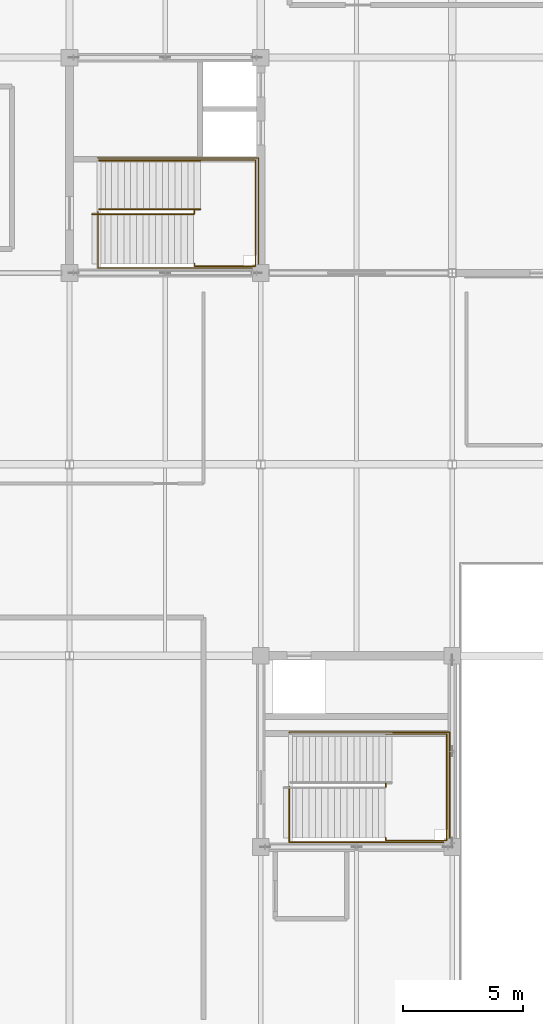
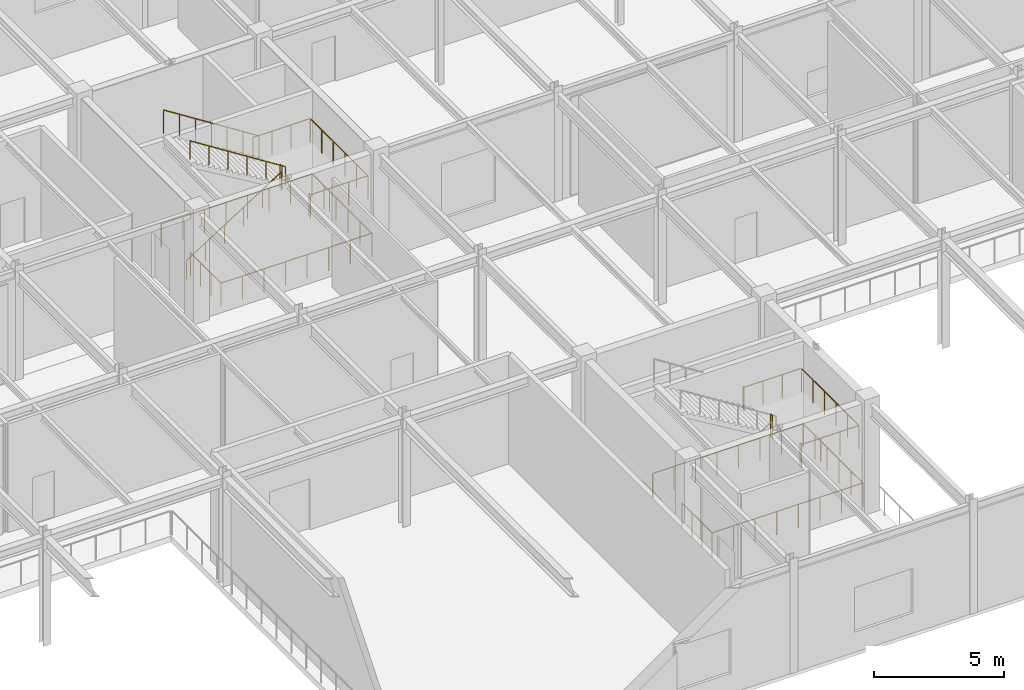
# One storey, part 179 of 184: 9 railings.
"""IFC4 building model written with IfcOpenShell, lengths in metres."""

from ifc_helpers import new_model, si_unit, direction, frame, origin, origin_2d, place, context, subcontext, project, spatial, circle, extrude, material, type_object, element, save


model = new_model("IFC4")

# Units and contexts
model_context = context("Model", 3, precision=1e-05, world=origin(), true_north=direction((0.0, 1.0)))
body_context = subcontext(model_context, "Body", "Model", "MODEL_VIEW")
ifc_project = project(units=[si_unit("LENGTHUNIT", "METRE"), si_unit("AREAUNIT", "SQUARE_METRE"), si_unit("VOLUMEUNIT", "CUBIC_METRE"), si_unit("PLANEANGLEUNIT", "RADIAN"), si_unit("MASSUNIT", "GRAM", prefix="KILO")], contexts=[model_context])

# Site, building, storey
site_placement = place(None, origin())
site = spatial("IfcSite", under=ifc_project, at=site_placement, CompositionType="ELEMENT")
building_placement = place(site_placement, origin())
building = spatial("IfcBuilding", under=site, at=building_placement, Name="Zhaolan Boulevard Law Courts", CompositionType="ELEMENT")
storey_placement = place(building_placement, frame((0.0, 0.0, 5.39990234375)))
storey = spatial("IfcBuildingStorey", under=building, at=storey_placement, Name="L01", CompositionType="ELEMENT", Elevation=5.39990234375)

# Railings
ifc_material_1 = material(Name="Brushed stainless steel tubular handrail", Category="steel")
railing_type_1 = type_object("IfcRailingType", Name="STAIR HANDRAIL 900", PredefinedType="HANDRAIL", material=ifc_material_1)
railing_1_placement = place(storey_placement, frame((76.949951171875, 96.449951171875, 0.0)))
element("IfcRailing", 1, at=railing_1_placement, inside=storey, type_object=railing_type_1, Name="Stair Handrail HR-ST11-L01-1", PredefinedType="HANDRAIL", context=body_context, shape_type="SweptSolid", body=[
    extrude(circle(Radius=0.0224609375, at=origin_2d()), frame((0.0, 0.0, 0.87744140625), z_axis=(0.843479452326, 0.0, 0.53716144082), x_axis=(0.0, 1.0, 0.0)), (0.0, 0.0, 1.0), 5.02685546875),
    extrude(circle(Radius=0.01904296875, at=origin_2d()), origin(), (0.0, 0.0, 1.0), 0.85498046875),
    extrude(circle(Radius=0.01904296875, at=origin_2d()), frame((0.847900390625, 0.0, 0.5400390625)), (0.0, 0.0, 1.0), 0.85498046875),
    extrude(circle(Radius=0.01904296875, at=origin_2d()), frame((1.696044921875, 0.0, 1.080078125)), (0.0, 0.0, 1.0), 0.85498046875),
    extrude(circle(Radius=0.01904296875, at=origin_2d()), frame((2.5439453125, 0.0, 1.6201171875)), (0.0, 0.0, 1.0), 0.85498046875),
    extrude(circle(Radius=0.01904296875, at=origin_2d()), frame((3.39208984375, 0.0, 2.16015625)), (0.0, 0.0, 1.0), 0.85498046875),
    extrude(circle(Radius=0.01904296875, at=origin_2d()), frame((4.239990234375, 0.0, 2.7001953125)), (0.0, 0.0, 1.0), 0.85498046875),
])
railing_2_placement = place(storey_placement, frame((81.47509765625, 96.669921875, 2.7001953125)))
element("IfcRailing", 2, at=railing_2_placement, inside=storey, type_object=railing_type_1, Name="Stair Handrail HR-ST11-L01-2", PredefinedType="HANDRAIL", context=body_context, shape_type="SweptSolid", body=[
    extrude(circle(Radius=0.0224609375, at=origin_2d()), frame((0.0, 0.0, 0.87744140625), z_axis=(-0.843501457581, 0.0, 0.537126885437), x_axis=(0.0, -1.0, 0.0)), (0.0, 0.0, 1.0), 5.026611328125),
    extrude(circle(Radius=0.01904296875, at=origin_2d()), origin(), (0.0, 0.0, 1.0), 0.85498046875),
    extrude(circle(Radius=0.01904296875, at=origin_2d()), frame((-0.847900390625, 0.0, 0.5400390625)), (0.0, 0.0, 1.0), 0.85498046875),
    extrude(circle(Radius=0.01904296875, at=origin_2d()), frame((-1.696044921875, 0.0, 1.080078125)), (0.0, 0.0, 1.0), 0.85498046875),
    extrude(circle(Radius=0.01904296875, at=origin_2d()), frame((-2.5439453125, 0.0, 1.619873046875)), (0.0, 0.0, 1.0), 0.85498046875),
    extrude(circle(Radius=0.01904296875, at=origin_2d()), frame((-3.39208984375, 0.0, 2.159912109375)), (0.0, 0.0, 1.0), 0.85498046875),
    extrude(circle(Radius=0.01904296875, at=origin_2d()), frame((-4.239990234375, 0.0, 2.699951171875)), (0.0, 0.0, 1.0), 0.85498046875),
])
ifc_material_2 = material(Name="Powder-coated steel baluster guardrail", Category="steel")
railing_type_2 = type_object("IfcRailingType", Name="STAIR WELL GUARDRAIL 1120", PredefinedType="GUARDRAIL", material=ifc_material_2)
railing_3_placement = place(storey_placement, frame((85.18994140625, 72.530029296875, 0.0)))
element("IfcRailing", 3, at=railing_3_placement, inside=storey, type_object=railing_type_2, Name="Stair-Well Floor Guardrail WG-ST08-L00", PredefinedType="GUARDRAIL", context=body_context, shape_type="SweptSolid", body=[
    extrude(circle(Radius=0.02392578125, at=origin_2d()), frame((0.0, 0.0, 1.09619140625), z_axis=(0.0, -1.0, 0.0), x_axis=(1.0, 0.0, 0.0)), (0.0, 0.0, 1.0), 2.330078125),
    extrude(circle(Radius=0.02392578125, at=origin_2d()), frame((0.0, -2.330078125, 1.09619140625), z_axis=(1.0, 0.0, 0.0), x_axis=(0.0, 1.0, 0.0)), (0.0, 0.0, 1.0), 6.7099609375),
    extrude(circle(Radius=0.02392578125, at=origin_2d()), frame((6.7099609375, -2.330078125, 1.09619140625), z_axis=(0.0, 1.0, 0.0), x_axis=(-1.0, 0.0, 0.0)), (0.0, 0.0, 1.0), 4.60009765625),
    extrude(circle(Radius=0.02392578125, at=origin_2d()), frame((6.7099609375, 2.27001953125, 1.09619140625), z_axis=(-1.0, 0.0, 0.0), x_axis=(0.0, -1.0, 0.0)), (0.0, 0.0, 1.0), 6.7099609375),
    extrude(circle(Radius=0.02392578125, at=origin_2d()), frame((0.0, 2.27001953125, 1.09619140625), z_axis=(0.0, -1.0, 0.0), x_axis=(1.0, 0.0, 0.0)), (0.0, 0.0, 1.0), 0.0400390625),
    extrude(circle(Radius=0.02099609375, at=origin_2d()), origin(), (0.0, 0.0, 1.0), 1.072021484375),
    extrude(circle(Radius=0.02099609375, at=origin_2d()), frame((0.0, -0.776611328125, 0.0)), (0.0, 0.0, 1.0), 1.072021484375),
    extrude(circle(Radius=0.02099609375, at=origin_2d()), frame((0.0, -1.553466796875, 0.0)), (0.0, 0.0, 1.0), 1.072021484375),
    extrude(circle(Radius=0.02099609375, at=origin_2d()), frame((0.0, -2.330078125, 0.0)), (0.0, 0.0, 1.0), 1.072021484375),
    extrude(circle(Radius=0.02099609375, at=origin_2d()), frame((0.95849609375, -2.330078125, 0.0)), (0.0, 0.0, 1.0), 1.072021484375),
    extrude(circle(Radius=0.02099609375, at=origin_2d()), frame((1.917236328125, -2.330078125, 0.0)), (0.0, 0.0, 1.0), 1.072021484375),
    extrude(circle(Radius=0.02099609375, at=origin_2d()), frame((2.875732421875, -2.330078125, 0.0)), (0.0, 0.0, 1.0), 1.072021484375),
    extrude(circle(Radius=0.02099609375, at=origin_2d()), frame((3.834228515625, -2.330078125, 0.0)), (0.0, 0.0, 1.0), 1.072021484375),
    extrude(circle(Radius=0.02099609375, at=origin_2d()), frame((4.792724609375, -2.330078125, 0.0)), (0.0, 0.0, 1.0), 1.072021484375),
    extrude(circle(Radius=0.02099609375, at=origin_2d()), frame((5.75146484375, -2.330078125, 0.0)), (0.0, 0.0, 1.0), 1.072021484375),
    extrude(circle(Radius=0.02099609375, at=origin_2d()), frame((6.7099609375, -2.330078125, 0.0)), (0.0, 0.0, 1.0), 1.072021484375),
    extrude(circle(Radius=0.02099609375, at=origin_2d()), frame((6.7099609375, -1.41015625, 0.0)), (0.0, 0.0, 1.0), 1.072021484375),
    extrude(circle(Radius=0.02099609375, at=origin_2d()), frame((6.7099609375, -0.489990234375, 0.0)), (0.0, 0.0, 1.0), 1.072021484375),
    extrude(circle(Radius=0.02099609375, at=origin_2d()), frame((6.7099609375, 0.429931640625, 0.0)), (0.0, 0.0, 1.0), 1.072021484375),
    extrude(circle(Radius=0.02099609375, at=origin_2d()), frame((6.7099609375, 1.35009765625, 0.0)), (0.0, 0.0, 1.0), 1.072021484375),
    extrude(circle(Radius=0.02099609375, at=origin_2d()), frame((6.7099609375, 2.27001953125, 0.0)), (0.0, 0.0, 1.0), 1.072021484375),
    extrude(circle(Radius=0.02099609375, at=origin_2d()), frame((5.75146484375, 2.27001953125, 0.0)), (0.0, 0.0, 1.0), 1.072021484375),
    extrude(circle(Radius=0.02099609375, at=origin_2d()), frame((4.792724609375, 2.27001953125, 0.0)), (0.0, 0.0, 1.0), 1.072021484375),
    extrude(circle(Radius=0.02099609375, at=origin_2d()), frame((3.834228515625, 2.27001953125, 0.0)), (0.0, 0.0, 1.0), 1.072021484375),
    extrude(circle(Radius=0.02099609375, at=origin_2d()), frame((2.875732421875, 2.27001953125, 0.0)), (0.0, 0.0, 1.0), 1.072021484375),
    extrude(circle(Radius=0.02099609375, at=origin_2d()), frame((1.917236328125, 2.27001953125, 0.0)), (0.0, 0.0, 1.0), 1.072021484375),
    extrude(circle(Radius=0.02099609375, at=origin_2d()), frame((0.95849609375, 2.27001953125, 0.0)), (0.0, 0.0, 1.0), 1.072021484375),
    extrude(circle(Radius=0.02099609375, at=origin_2d()), frame((0.0, 2.27001953125, 0.0)), (0.0, 0.0, 1.0), 1.072021484375),
    extrude(circle(Radius=0.02099609375, at=origin_2d()), frame((0.0, 2.22998046875, 0.0)), (0.0, 0.0, 1.0), 1.072021484375),
])
railing_4_placement = place(storey_placement, frame((89.219970703125, 70.39990234375, 2.7001953125)))
element("IfcRailing", 4, at=railing_4_placement, inside=storey, type_object=railing_type_2, Name="Half-Landing Guardrail SG-ST08-L01-M", PredefinedType="GUARDRAIL", context=body_context, shape_type="SweptSolid", body=[
    extrude(circle(Radius=0.02392578125, at=origin_2d()), frame((0.0, 0.0, 1.09619140625), z_axis=(0.0, -1.0, 0.0), x_axis=(1.0, 0.0, 0.0)), (0.0, 0.0, 1.0), 0.119873046875),
    extrude(circle(Radius=0.02392578125, at=origin_2d()), frame((0.0, -0.119873046875, 1.09619140625), z_axis=(1.0, 0.0, 0.0), x_axis=(0.0, 1.0, 0.0)), (0.0, 0.0, 1.0), 2.550048828125),
    extrude(circle(Radius=0.02392578125, at=origin_2d()), frame((2.550048828125, -0.119873046875, 1.09619140625), z_axis=(0.0, 1.0, 0.0), x_axis=(-1.0, 0.0, 0.0)), (0.0, 0.0, 1.0), 4.43994140625),
    extrude(circle(Radius=0.02392578125, at=origin_2d()), frame((2.550048828125, 4.320068359375, 1.09619140625), z_axis=(-1.0, 0.0, 0.0), x_axis=(0.0, -1.0, 0.0)), (0.0, 0.0, 1.0), 2.550048828125),
    extrude(circle(Radius=0.02392578125, at=origin_2d()), frame((0.0, 4.320068359375, 1.09619140625), z_axis=(0.0, 1.0, 0.0), x_axis=(-1.0, 0.0, 0.0)), (0.0, 0.0, 1.0), 0.06005859375),
    extrude(circle(Radius=0.02099609375, at=origin_2d()), origin(), (0.0, 0.0, 1.0), 1.072021484375),
    extrude(circle(Radius=0.02099609375, at=origin_2d()), frame((0.0, -0.119873046875, 0.0)), (0.0, 0.0, 1.0), 1.072021484375),
    extrude(circle(Radius=0.02099609375, at=origin_2d()), frame((0.85009765625, -0.119873046875, 0.0)), (0.0, 0.0, 1.0), 1.072021484375),
    extrude(circle(Radius=0.02099609375, at=origin_2d()), frame((1.699951171875, -0.119873046875, 0.0)), (0.0, 0.0, 1.0), 1.072021484375),
    extrude(circle(Radius=0.02099609375, at=origin_2d()), frame((2.550048828125, -0.119873046875, 0.0)), (0.0, 0.0, 1.0), 1.072021484375),
    extrude(circle(Radius=0.02099609375, at=origin_2d()), frame((2.550048828125, 0.76806640625, 0.0)), (0.0, 0.0, 1.0), 1.072021484375),
    extrude(circle(Radius=0.02099609375, at=origin_2d()), frame((2.550048828125, 1.656005859375, 0.0)), (0.0, 0.0, 1.0), 1.072021484375),
    extrude(circle(Radius=0.02099609375, at=origin_2d()), frame((2.550048828125, 2.544189453125, 0.0)), (0.0, 0.0, 1.0), 1.072021484375),
    extrude(circle(Radius=0.02099609375, at=origin_2d()), frame((2.550048828125, 3.43212890625, 0.0)), (0.0, 0.0, 1.0), 1.072021484375),
    extrude(circle(Radius=0.02099609375, at=origin_2d()), frame((2.550048828125, 4.320068359375, 0.0)), (0.0, 0.0, 1.0), 1.072021484375),
    extrude(circle(Radius=0.02099609375, at=origin_2d()), frame((1.699951171875, 4.320068359375, 0.0)), (0.0, 0.0, 1.0), 1.072021484375),
    extrude(circle(Radius=0.02099609375, at=origin_2d()), frame((0.85009765625, 4.320068359375, 0.0)), (0.0, 0.0, 1.0), 1.072021484375),
    extrude(circle(Radius=0.02099609375, at=origin_2d()), frame((0.0, 4.320068359375, 0.0)), (0.0, 0.0, 1.0), 1.072021484375),
    extrude(circle(Radius=0.02099609375, at=origin_2d()), frame((0.0, 4.380126953125, 0.0)), (0.0, 0.0, 1.0), 1.072021484375),
])
railing_5_placement = place(storey_placement, frame((89.219970703125, 72.52001953125, 2.7001953125)))
element("IfcRailing", 5, at=railing_5_placement, inside=storey, type_object=railing_type_2, Name="Half-Landing Well Guardrail SG-ST08-L01-W", PredefinedType="GUARDRAIL", context=body_context, shape_type="SweptSolid", body=[
    extrude(circle(Radius=0.02392578125, at=origin_2d()), frame((0.0, 0.0, 1.09619140625), z_axis=(0.0, 1.0, 0.0), x_axis=(-1.0, 0.0, 0.0)), (0.0, 0.0, 1.0), 0.139892578125),
    extrude(circle(Radius=0.02099609375, at=origin_2d()), origin(), (0.0, 0.0, 1.0), 1.072021484375),
    extrude(circle(Radius=0.02099609375, at=origin_2d()), frame((0.0, 0.139892578125, 0.0)), (0.0, 0.0, 1.0), 1.072021484375),
])
railing_6_placement = place(storey_placement, frame((77.18994140625, 96.56005859375, 0.0)))
element("IfcRailing", 6, at=railing_6_placement, inside=storey, type_object=railing_type_2, Name="Stair-Well Floor Guardrail WG-ST11-L00", PredefinedType="GUARDRAIL", context=body_context, shape_type="SweptSolid", body=[
    extrude(circle(Radius=0.02392578125, at=origin_2d()), frame((0.0, 0.0, 1.09619140625), z_axis=(0.0, -1.0, 0.0), x_axis=(1.0, 0.0, 0.0)), (0.0, 0.0, 1.0), 2.360107421875),
    extrude(circle(Radius=0.02392578125, at=origin_2d()), frame((0.0, -2.360107421875, 1.09619140625), z_axis=(1.0, 0.0, 0.0), x_axis=(0.0, 1.0, 0.0)), (0.0, 0.0, 1.0), 6.7099609375),
    extrude(circle(Radius=0.02392578125, at=origin_2d()), frame((6.7099609375, -2.360107421875, 1.09619140625), z_axis=(0.0, 1.0, 0.0), x_axis=(-1.0, 0.0, 0.0)), (0.0, 0.0, 1.0), 4.60009765625),
    extrude(circle(Radius=0.02392578125, at=origin_2d()), frame((6.7099609375, 2.239990234375, 1.09619140625), z_axis=(-1.0, 0.0, 0.0), x_axis=(0.0, -1.0, 0.0)), (0.0, 0.0, 1.0), 6.7099609375),
    extrude(circle(Radius=0.02392578125, at=origin_2d()), frame((0.0, 2.239990234375, 1.09619140625), z_axis=(0.0, 1.0, 0.0), x_axis=(-1.0, 0.0, 0.0)), (0.0, 0.0, 1.0), 0.02001953125),
    extrude(circle(Radius=0.02099609375, at=origin_2d()), origin(), (0.0, 0.0, 1.0), 1.072021484375),
    extrude(circle(Radius=0.02099609375, at=origin_2d()), frame((0.0, -0.78662109375, 0.0)), (0.0, 0.0, 1.0), 1.072021484375),
    extrude(circle(Radius=0.02099609375, at=origin_2d()), frame((0.0, -1.573486328125, 0.0)), (0.0, 0.0, 1.0), 1.072021484375),
    extrude(circle(Radius=0.02099609375, at=origin_2d()), frame((0.0, -2.360107421875, 0.0)), (0.0, 0.0, 1.0), 1.072021484375),
    extrude(circle(Radius=0.02099609375, at=origin_2d()), frame((0.95849609375, -2.360107421875, 0.0)), (0.0, 0.0, 1.0), 1.072021484375),
    extrude(circle(Radius=0.02099609375, at=origin_2d()), frame((1.917236328125, -2.360107421875, 0.0)), (0.0, 0.0, 1.0), 1.072021484375),
    extrude(circle(Radius=0.02099609375, at=origin_2d()), frame((2.875732421875, -2.360107421875, 0.0)), (0.0, 0.0, 1.0), 1.072021484375),
    extrude(circle(Radius=0.02099609375, at=origin_2d()), frame((3.834228515625, -2.360107421875, 0.0)), (0.0, 0.0, 1.0), 1.072021484375),
    extrude(circle(Radius=0.02099609375, at=origin_2d()), frame((4.792724609375, -2.360107421875, 0.0)), (0.0, 0.0, 1.0), 1.072021484375),
    extrude(circle(Radius=0.02099609375, at=origin_2d()), frame((5.75146484375, -2.360107421875, 0.0)), (0.0, 0.0, 1.0), 1.072021484375),
    extrude(circle(Radius=0.02099609375, at=origin_2d()), frame((6.7099609375, -2.360107421875, 0.0)), (0.0, 0.0, 1.0), 1.072021484375),
    extrude(circle(Radius=0.02099609375, at=origin_2d()), frame((6.7099609375, -1.440185546875, 0.0)), (0.0, 0.0, 1.0), 1.072021484375),
    extrude(circle(Radius=0.02099609375, at=origin_2d()), frame((6.7099609375, -0.52001953125, 0.0)), (0.0, 0.0, 1.0), 1.072021484375),
    extrude(circle(Radius=0.02099609375, at=origin_2d()), frame((6.7099609375, 0.39990234375, 0.0)), (0.0, 0.0, 1.0), 1.072021484375),
    extrude(circle(Radius=0.02099609375, at=origin_2d()), frame((6.7099609375, 1.320068359375, 0.0)), (0.0, 0.0, 1.0), 1.072021484375),
    extrude(circle(Radius=0.02099609375, at=origin_2d()), frame((6.7099609375, 2.239990234375, 0.0)), (0.0, 0.0, 1.0), 1.072021484375),
    extrude(circle(Radius=0.02099609375, at=origin_2d()), frame((5.75146484375, 2.239990234375, 0.0)), (0.0, 0.0, 1.0), 1.072021484375),
    extrude(circle(Radius=0.02099609375, at=origin_2d()), frame((4.792724609375, 2.239990234375, 0.0)), (0.0, 0.0, 1.0), 1.072021484375),
    extrude(circle(Radius=0.02099609375, at=origin_2d()), frame((3.834228515625, 2.239990234375, 0.0)), (0.0, 0.0, 1.0), 1.072021484375),
    extrude(circle(Radius=0.02099609375, at=origin_2d()), frame((2.875732421875, 2.239990234375, 0.0)), (0.0, 0.0, 1.0), 1.072021484375),
    extrude(circle(Radius=0.02099609375, at=origin_2d()), frame((1.917236328125, 2.239990234375, 0.0)), (0.0, 0.0, 1.0), 1.072021484375),
    extrude(circle(Radius=0.02099609375, at=origin_2d()), frame((0.95849609375, 2.239990234375, 0.0)), (0.0, 0.0, 1.0), 1.072021484375),
    extrude(circle(Radius=0.02099609375, at=origin_2d()), frame((0.0, 2.239990234375, 0.0)), (0.0, 0.0, 1.0), 1.072021484375),
    extrude(circle(Radius=0.02099609375, at=origin_2d()), frame((0.0, 2.260009765625, 0.0)), (0.0, 0.0, 1.0), 1.072021484375),
])
railing_7_placement = place(storey_placement, frame((81.219970703125, 94.39990234375, 2.7001953125)))
element("IfcRailing", 7, at=railing_7_placement, inside=storey, type_object=railing_type_2, Name="Half-Landing Guardrail SG-ST11-L01-M", PredefinedType="GUARDRAIL", context=body_context, shape_type="SweptSolid", body=[
    extrude(circle(Radius=0.02392578125, at=origin_2d()), frame((0.0, 0.0, 1.09619140625), z_axis=(0.0, -1.0, 0.0), x_axis=(1.0, 0.0, 0.0)), (0.0, 0.0, 1.0), 0.119873046875),
    extrude(circle(Radius=0.02392578125, at=origin_2d()), frame((0.0, -0.119873046875, 1.09619140625), z_axis=(1.0, 0.0, 0.0), x_axis=(0.0, 1.0, 0.0)), (0.0, 0.0, 1.0), 2.550048828125),
    extrude(circle(Radius=0.02392578125, at=origin_2d()), frame((2.550048828125, -0.119873046875, 1.09619140625), z_axis=(0.0, 1.0, 0.0), x_axis=(-1.0, 0.0, 0.0)), (0.0, 0.0, 1.0), 4.43994140625),
    extrude(circle(Radius=0.02392578125, at=origin_2d()), frame((2.550048828125, 4.320068359375, 1.09619140625), z_axis=(-1.0, 0.0, 0.0), x_axis=(0.0, -1.0, 0.0)), (0.0, 0.0, 1.0), 2.550048828125),
    extrude(circle(Radius=0.02099609375, at=origin_2d()), origin(), (0.0, 0.0, 1.0), 1.072021484375),
    extrude(circle(Radius=0.02099609375, at=origin_2d()), frame((0.0, -0.119873046875, 0.0)), (0.0, 0.0, 1.0), 1.072021484375),
    extrude(circle(Radius=0.02099609375, at=origin_2d()), frame((0.85009765625, -0.119873046875, 0.0)), (0.0, 0.0, 1.0), 1.072021484375),
    extrude(circle(Radius=0.02099609375, at=origin_2d()), frame((1.699951171875, -0.119873046875, 0.0)), (0.0, 0.0, 1.0), 1.072021484375),
    extrude(circle(Radius=0.02099609375, at=origin_2d()), frame((2.550048828125, -0.119873046875, 0.0)), (0.0, 0.0, 1.0), 1.072021484375),
    extrude(circle(Radius=0.02099609375, at=origin_2d()), frame((2.550048828125, 0.76806640625, 0.0)), (0.0, 0.0, 1.0), 1.072021484375),
    extrude(circle(Radius=0.02099609375, at=origin_2d()), frame((2.550048828125, 1.656005859375, 0.0)), (0.0, 0.0, 1.0), 1.072021484375),
    extrude(circle(Radius=0.02099609375, at=origin_2d()), frame((2.550048828125, 2.544189453125, 0.0)), (0.0, 0.0, 1.0), 1.072021484375),
    extrude(circle(Radius=0.02099609375, at=origin_2d()), frame((2.550048828125, 3.43212890625, 0.0)), (0.0, 0.0, 1.0), 1.072021484375),
    extrude(circle(Radius=0.02099609375, at=origin_2d()), frame((2.550048828125, 4.320068359375, 0.0)), (0.0, 0.0, 1.0), 1.072021484375),
    extrude(circle(Radius=0.02099609375, at=origin_2d()), frame((1.699951171875, 4.320068359375, 0.0)), (0.0, 0.0, 1.0), 1.072021484375),
    extrude(circle(Radius=0.02099609375, at=origin_2d()), frame((0.85009765625, 4.320068359375, 0.0)), (0.0, 0.0, 1.0), 1.072021484375),
    extrude(circle(Radius=0.02099609375, at=origin_2d()), frame((0.0, 4.320068359375, 0.0)), (0.0, 0.0, 1.0), 1.072021484375),
])
railing_8_placement = place(storey_placement, frame((81.219970703125, 96.489990234375, 2.7001953125)))
element("IfcRailing", 8, at=railing_8_placement, inside=storey, type_object=railing_type_2, Name="Half-Landing Well Guardrail SG-ST11-L01-W", PredefinedType="GUARDRAIL", context=body_context, shape_type="SweptSolid", body=[
    extrude(circle(Radius=0.02392578125, at=origin_2d()), frame((0.0, 0.0, 1.09619140625), z_axis=(0.0, 1.0, 0.0), x_axis=(-1.0, 0.0, 0.0)), (0.0, 0.0, 1.0), 0.139892578125),
    extrude(circle(Radius=0.02099609375, at=origin_2d()), origin(), (0.0, 0.0, 1.0), 1.072021484375),
    extrude(circle(Radius=0.02099609375, at=origin_2d()), frame((0.0, 0.139892578125, 0.0)), (0.0, 0.0, 1.0), 1.072021484375),
])
railing_9_placement = place(storey_placement, frame((81.47509765625, 98.699951171875, 2.7001953125)))
element("IfcRailing", 9, at=railing_9_placement, inside=storey, type_object=railing_type_2, Name="Flight Guardrail SG-ST11-L01-F2", PredefinedType="GUARDRAIL", context=body_context, shape_type="SweptSolid", body=[
    extrude(circle(Radius=0.02392578125, at=origin_2d()), frame((0.0, 0.0, 1.09619140625), z_axis=(-0.843501457581, 0.0, 0.537126885437), x_axis=(0.0, -1.0, 0.0)), (0.0, 0.0, 1.0), 5.026611328125),
    extrude(circle(Radius=0.02099609375, at=origin_2d()), origin(), (0.0, 0.0, 1.0), 1.072021484375),
    extrude(circle(Radius=0.02099609375, at=origin_2d()), frame((-0.70654296875, 0.0, 0.449951171875)), (0.0, 0.0, 1.0), 1.072021484375),
    extrude(circle(Radius=0.02099609375, at=origin_2d()), frame((-1.413330078125, 0.0, 0.89990234375)), (0.0, 0.0, 1.0), 1.072021484375),
    extrude(circle(Radius=0.02099609375, at=origin_2d()), frame((-2.1201171875, 0.0, 1.35009765625)), (0.0, 0.0, 1.0), 1.072021484375),
    extrude(circle(Radius=0.02099609375, at=origin_2d()), frame((-2.82666015625, 0.0, 1.800048828125)), (0.0, 0.0, 1.0), 1.072021484375),
    extrude(circle(Radius=0.02099609375, at=origin_2d()), frame((-3.533203125, 0.0, 2.25)), (0.0, 0.0, 1.0), 1.072021484375),
    extrude(circle(Radius=0.02099609375, at=origin_2d()), frame((-4.239990234375, 0.0, 2.699951171875)), (0.0, 0.0, 1.0), 1.072021484375),
])

save(model, "model.ifc")
